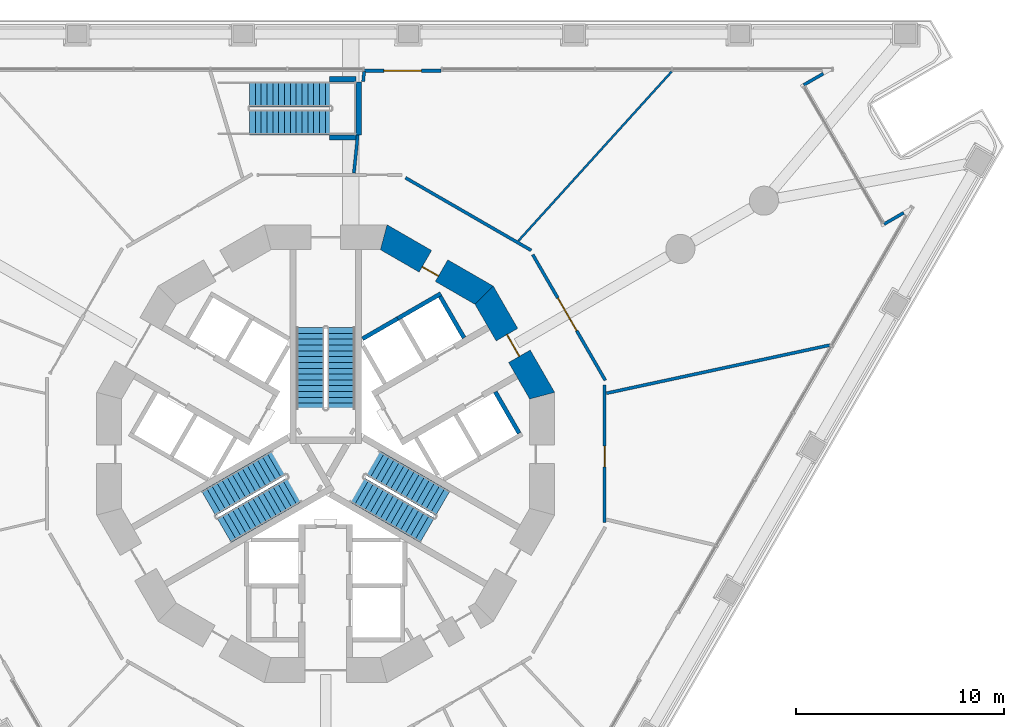
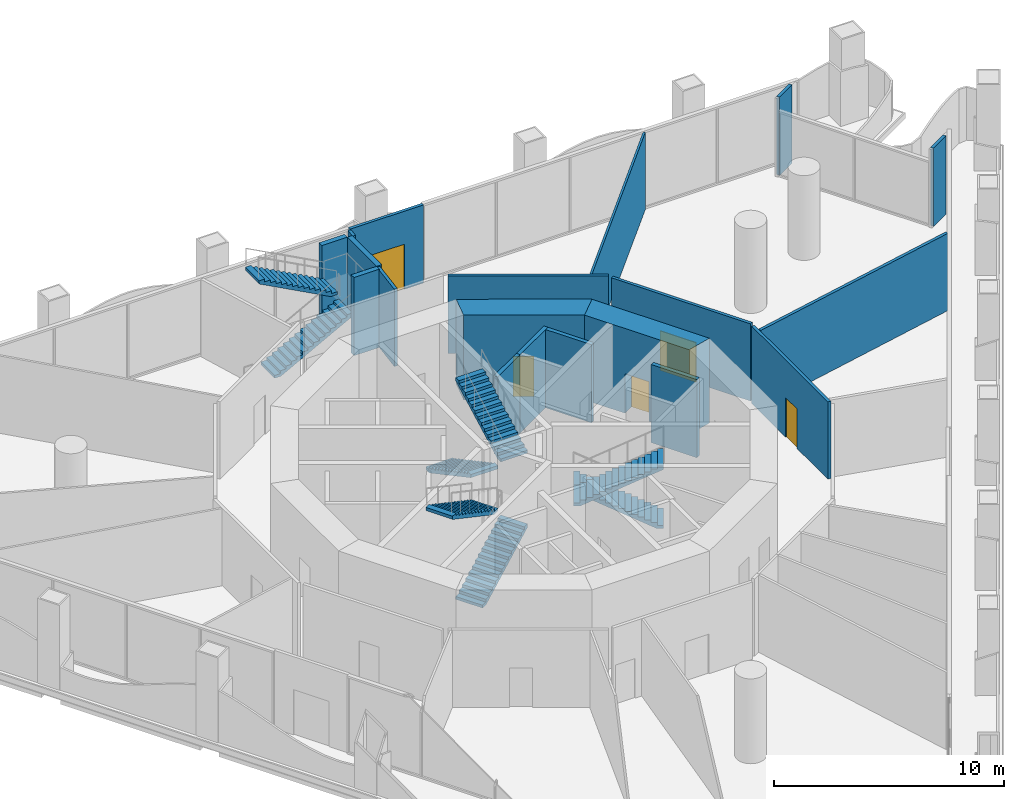
# One storey, part 13 of 21: 19 walls, 8 stair flights, 5 doors, 5 openings, 4 elements without a shape of their own.
"""IFC4 building model written with IfcOpenShell, lengths in metres."""

import ifcopenshell
import ifcopenshell.guid

model = None  # the IFC model being written
_history = None  # IfcOwnerHistory: only IFC2X3 demands one
_inside = {}  # id of a spatial element -> (the spatial element, [elements in it])
_under = {}  # id of a project, library or spatial element -> (it, [spatial elements below it])
_declared = {}  # id of a project -> (the project, [libraries it declares])
_typed = {}  # id of a type object -> (the type object, [elements of that type])
_made_of = {}  # id of a material, layer set ... -> (it, [elements and type objects made of it])


def new_model(schema):
    """Start an empty IFC model of exactly this schema.

    Asked for "IFC4X3", IfcOpenShell would pick the latest addendum, in which some entities
    have other attributes; the version numbers below select the first issue.
    IFC2X3 requires an IfcOwnerHistory on every rooted entity: one is made here for all.
    """
    global model, _history
    if schema == "IFC4X3":
        model = ifcopenshell.file(schema_version=(4, 3, 0, 0))
    else:
        model = ifcopenshell.file(schema=schema)
    _inside.clear()
    _under.clear()
    _declared.clear()
    _typed.clear()
    _made_of.clear()
    _history = None
    if model.schema == "IFC2X3":
        org = make("IfcOrganization", Name="unknown")
        user = make(
            "IfcPersonAndOrganization",
            ThePerson=make("IfcPerson", FamilyName="unknown"),
            TheOrganization=org,
        )
        app = make(
            "IfcApplication",
            ApplicationDeveloper=org,
            Version="unknown",
            ApplicationFullName="unknown",
            ApplicationIdentifier="unknown",
        )
        _history = make(
            "IfcOwnerHistory",
            OwningUser=user,
            OwningApplication=app,
            ChangeAction="ADDED",
            CreationDate=0,
        )
    return model


def make(cls, **values):
    """One entity of the class cls with the attributes given. An attribute that is None is left unset."""
    return model.create_entity(
        cls, **{name: value for name, value in values.items() if value is not None}
    )


def rooted(cls, **values):
    """An entity with a GlobalId (a new one), such as an element, a storey or a relation."""
    return make(cls, GlobalId=ifcopenshell.guid.new(), OwnerHistory=_history, **values)


def si_unit(unit_type, name, prefix=None):
    """IfcSIUnit, for example si_unit("LENGTHUNIT", "METRE", prefix="MILLI")."""
    return make("IfcSIUnit", UnitType=unit_type, Prefix=prefix, Name=name)


def assignment(units):
    """IfcUnitAssignment: the units of a project."""
    return None if units is None else make("IfcUnitAssignment", Units=units)


def point(xyz):
    """IfcCartesianPoint."""
    return None if xyz is None else make("IfcCartesianPoint", Coordinates=xyz)


def direction(xyz):
    """IfcDirection."""
    return None if xyz is None else make("IfcDirection", DirectionRatios=xyz)


def frame(location, z_axis=None, x_axis=None):
    """IfcAxis2Placement3D, a coordinate frame: its origin and axes. An axis left out is left unset."""
    return make(
        "IfcAxis2Placement3D",
        Location=point(location),
        Axis=direction(z_axis),
        RefDirection=direction(x_axis),
    )


def frame_2d(location, x_axis=None):
    """IfcAxis2Placement2D, a coordinate frame in the plane: its origin and x axis."""
    return make(
        "IfcAxis2Placement2D", Location=point(location), RefDirection=direction(x_axis)
    )


def origin():
    """The frame at (0, 0, 0) with its axes left unset."""
    return frame((0.0, 0.0, 0.0))


def place(relative_to, where):
    """IfcLocalPlacement: puts the frame where relative to a parent placement (None: the world)."""
    return make(
        "IfcLocalPlacement", PlacementRelTo=relative_to, RelativePlacement=where
    )


def context(
    kind, dimensions, precision=None, world=None, true_north=None, identifier=None
):
    """IfcGeometricRepresentationContext, for example the 3D "Model" context."""
    return make(
        "IfcGeometricRepresentationContext",
        ContextIdentifier=identifier,
        ContextType=kind,
        CoordinateSpaceDimension=dimensions,
        Precision=precision,
        WorldCoordinateSystem=world,
        TrueNorth=true_north,
    )


def subcontext(parent, identifier, kind, view, scale=None):
    """IfcGeometricRepresentationSubContext, for example "Body" below "Model"."""
    return make(
        "IfcGeometricRepresentationSubContext",
        ContextIdentifier=identifier,
        ContextType=kind,
        ParentContext=parent,
        TargetScale=scale,
        TargetView=view,
    )


def project(units=None, contexts=None):
    """IfcProject with its units and contexts."""
    return rooted(
        "IfcProject",
        Name="project",
        RepresentationContexts=contexts,
        UnitsInContext=assignment(units),
    )


def spatial(cls, under=None, at=None, **own):
    """A site, building, storey or space (cls), placed at a placement, below another one or the project."""
    s = rooted(cls, ObjectPlacement=at, **own)
    if under is not None:
        _under.setdefault(under.id(), (under, []))[1].append(s)
    return s


def polyline(points):
    """IfcPolyline through the points."""
    return make("IfcPolyline", Points=[point(p) for p in points])


def profile(cls, at=None, kind="AREA", **sizes):
    """A parametric profile (cls). Its sizes go by their IFC names, for example OverallWidth=200.0."""
    return make(cls, ProfileType=kind, Position=at, **sizes)


def rectangle(**sizes):
    """IfcRectangleProfileDef."""
    return profile("IfcRectangleProfileDef", **sizes)


def outline(outer, holes=None, kind="AREA"):
    """IfcArbitraryClosedProfileDef: a profile drawn as a closed curve; with holes, ...WithVoids."""
    if holes is None:
        return make("IfcArbitraryClosedProfileDef", ProfileType=kind, OuterCurve=outer)
    return make(
        "IfcArbitraryProfileDefWithVoids",
        ProfileType=kind,
        OuterCurve=outer,
        InnerCurves=holes,
    )


def extrude(swept, where, along, depth):
    """IfcExtrudedAreaSolid: the profile swept, set in the frame where, extruded along a direction by depth."""
    return make(
        "IfcExtrudedAreaSolid",
        SweptArea=swept,
        Position=where,
        ExtrudedDirection=direction(along),
        Depth=depth,
    )


def shape(context_of_items, identifier, shape_type, items):
    """IfcShapeRepresentation: the items that make up one representation, for example the "Body"."""
    return make(
        "IfcShapeRepresentation",
        ContextOfItems=context_of_items,
        RepresentationIdentifier=identifier,
        RepresentationType=shape_type,
        Items=items,
    )


def material(Name=None, Category=None):
    """IfcMaterial."""
    return make("IfcMaterial", Name=Name, Category=Category)


def layer(
    of_material, thickness, ventilated=None, Name=None, Category=None, Priority=None
):
    """IfcMaterialLayer: one layer of a wall or slab, of a material (None: an air gap)."""
    return make(
        "IfcMaterialLayer",
        Material=of_material,
        LayerThickness=thickness,
        IsVentilated=ventilated,
        Name=Name,
        Category=Category,
        Priority=Priority,
    )


def layer_set(layers, Name=None):
    """IfcMaterialLayerSet."""
    return make("IfcMaterialLayerSet", MaterialLayers=layers, LayerSetName=Name)


def made_of(thing, what):
    """Note that an element or type object is made of a material, layer set ...; save() writes the relation."""
    if what is not None:
        _made_of.setdefault(what.id(), (what, []))[1].append(thing)
    return thing


def type_object(cls, material=None, **own):
    """A type object (cls), such as IfcWallType, which elements share."""
    return made_of(rooted(cls, **own), material)


def element(
    cls,
    number,
    at=None,
    inside=None,
    cuts=None,
    type_object=None,
    material=None,
    context=None,
    identifier="Body",
    shape_type=None,
    held_by="IfcProductDefinitionShape",
    body=None,
    shapes=None,
    **own,
):
    """One element of the class cls, such as IfcWall. Its Tag is "e" and its number.

    at: its placement. inside: the storey or other place that contains it. cuts: it is an
    opening in that element (IfcRelVoidsElement). A single representation is given by context,
    identifier, shape_type and body (its items); several are given by shapes. held_by: the class
    of the entity that holds the representations. save() writes the other relations.
    """
    e = rooted(cls, Tag="e%d" % number, ObjectPlacement=at, **own)
    if body is not None:
        shapes = [shape(context, identifier, shape_type, body)]
    if shapes is not None:
        e.Representation = make(held_by, Representations=shapes)
    if inside is not None:
        _inside.setdefault(inside.id(), (inside, []))[1].append(e)
    if cuts is not None:
        rooted(
            "IfcRelVoidsElement", RelatingBuildingElement=cuts, RelatedOpeningElement=e
        )
    if type_object is not None:
        _typed.setdefault(type_object.id(), (type_object, []))[1].append(e)
    return made_of(e, material)


def fill(opening, filler):
    """IfcRelFillsElement: the door or window that sits in an opening."""
    return rooted(
        "IfcRelFillsElement",
        RelatingOpeningElement=opening,
        RelatedBuildingElement=filler,
    )


def aggregate(whole, parts):
    """IfcRelAggregates: a whole, such as a stair, and the parts it consists of."""
    return rooted("IfcRelAggregates", RelatingObject=whole, RelatedObjects=parts)


def save(model, path):
    """Write the relations noted so far, then the file.

    IfcRelAggregates (storeys below a building ...), IfcRelContainedInSpatialStructure (elements
    in a storey), IfcRelDefinesByType, IfcRelAssociatesMaterial and IfcRelDeclares: one each for
    every whole, place, type object, material and project.
    """
    for whole, parts in _under.values():
        aggregate(whole, parts)
    for where, things in _inside.values():
        rooted(
            "IfcRelContainedInSpatialStructure",
            RelatedElements=things,
            RelatingStructure=where,
        )
    for kind, things in _typed.values():
        rooted("IfcRelDefinesByType", RelatedObjects=things, RelatingType=kind)
    for what, things in _made_of.values():
        rooted("IfcRelAssociatesMaterial", RelatedObjects=things, RelatingMaterial=what)
    for by, libraries in _declared.values():
        rooted("IfcRelDeclares", RelatingContext=by, RelatedDefinitions=libraries)
    model.write(path)


model = new_model("IFC4")

# Units and contexts
model_context = context("Model", 3, precision=1e-05, world=origin(), true_north=direction((0.0, 1.0)))
body_context = subcontext(model_context, "Body", "Model", "MODEL_VIEW")
ifc_project = project(units=[si_unit("LENGTHUNIT", "METRE"), si_unit("AREAUNIT", "SQUARE_METRE"), si_unit("VOLUMEUNIT", "CUBIC_METRE"), si_unit("PLANEANGLEUNIT", "RADIAN"), si_unit("MASSUNIT", "GRAM", prefix="KILO")], contexts=[model_context])

# Site, building, storey
site_placement = place(None, origin())
site = spatial("IfcSite", under=ifc_project, at=site_placement, CompositionType="ELEMENT")
building_placement = place(site_placement, origin())
building = spatial("IfcBuilding", under=site, at=building_placement, Name="Trine Commons Tower", CompositionType="ELEMENT")
storey_placement = place(building_placement, frame((0.0, 0.0, 9.0)))
storey = spatial("IfcBuildingStorey", under=building, at=storey_placement, Name="L01", CompositionType="ELEMENT", Elevation=9.0)

# Walls
ifc_material_1 = material(Name="Plasterboard on steel stud", Category="steel")
ifc_layer_1 = layer(ifc_material_1, 0.14990234375)
ifc_layer_set_1 = layer_set([ifc_layer_1], Name="Plasterboard on steel stud")
wall_type_1 = type_object("IfcWallType", Name="Compartment wall 150 mm, EI 60", PredefinedType="PARTITIONING", material=ifc_layer_set_1)
wall_1_placement = place(storey_placement, frame((81.357177734375, 75.994140625, 0.0), z_axis=(0.0, 0.0, 1.0), x_axis=(0.100173666566, 0.994969967651, 0.0)))
element("IfcWall", 1, at=wall_1_placement, inside=storey, type_object=wall_type_1, Name="Partition P1017", PredefinedType="PARTITIONING", context=body_context, shape_type="SweptSolid", body=[
    extrude(rectangle(XDim=1.840087890625, YDim=0.14990234375, at=frame_2d((0.919921875, 0.0))), origin(), (0.0, 0.0, 1.0), 4.10009765625),
])
wall_2_placement = place(storey_placement, frame((81.800048828125, 80.39501953125, 0.0), z_axis=(0.0, 0.0, 1.0), x_axis=(0.099749392044, 0.995012592276, 0.0)))
element("IfcWall", 2, at=wall_2_placement, inside=storey, type_object=wall_type_1, Name="Partition P1018", PredefinedType="PARTITIONING", context=body_context, shape_type="SweptSolid", body=[
    extrude(rectangle(XDim=0.491943359375, YDim=0.14990234375, at=frame_2d((0.24609375, 0.0))), origin(), (0.0, 0.0, 1.0), 4.10009765625),
])
wall_3_placement = place(storey_placement, frame((83.8359375, 75.771484375, 0.0), z_axis=(0.0, 0.0, 1.0), x_axis=(0.866037689721, -0.49997871953, 0.0)))
element("IfcWall", 3, at=wall_3_placement, inside=storey, type_object=wall_type_1, Name="Partition P1020", PredefinedType="PARTITIONING", context=body_context, shape_type="SweptSolid", body=[
    extrude(rectangle(XDim=6.982177734375, YDim=0.14990234375, at=frame_2d((3.4912109375, 0.0))), origin(), (0.0, 0.0, 1.0), 4.10009765625),
])

# Wall, opening, door
wall_4_placement = place(storey_placement, frame((93.448974609375, 66.028564453125, 0.0), z_axis=(0.0, 0.0, 1.0), x_axis=(-0.49997871953, 0.866037689721, 0.0)))
wall_4 = element("IfcWall", 4, at=wall_4_placement, inside=storey, type_object=wall_type_1, Name="Partition P1031", PredefinedType="PARTITIONING", context=body_context, shape_type="SweptSolid", body=[
    extrude(rectangle(XDim=6.982177734375, YDim=0.14990234375, at=frame_2d((3.4912109375, 0.0))), origin(), (0.0, 0.0, 1.0), 4.10009765625),
])
opening_1_placement = place(wall_4_placement, frame((2.7685546875, 0.0, 0.0)))
opening_1 = element("IfcOpeningElement", 5, at=opening_1_placement, cuts=wall_4, Name="Opening D-P115", PredefinedType="OPENING", context=body_context, shape_type="SweptSolid", body=[
    extrude(rectangle(XDim=1.800048828125, YDim=2.10009765625, at=frame_2d((0.89990234375, 1.050048828125))), frame((0.0, 0.0849609375, 0.0), z_axis=(0.0, -1.0, 0.0), x_axis=(1.0, 0.0, 0.0)), (0.0, 0.0, 1.0), 0.169921875),
])
ifc_material_2 = material(Name="Timber fire door set", Category="wood")
door_type_1 = type_object("IfcDoorType", Name="Double swing door 1800x2100, FD30S", OperationType="DOUBLE_DOOR_DOUBLE_SWING", PredefinedType="DOOR", material=ifc_material_2)
door_1_placement = place(opening_1_placement, origin())
door_1 = element("IfcDoor", 6, at=door_1_placement, inside=storey, type_object=door_type_1, Name="Door D-P115", OperationType="DOUBLE_DOOR_DOUBLE_SWING", OverallHeight=2.10009765625, OverallWidth=1.800048828125, PredefinedType="DOOR", context=body_context, shape_type="SweptSolid", body=[
    extrude(rectangle(XDim=1.800048828125, YDim=2.10009765625, at=frame_2d((0.89990234375, 1.050048828125))), frame((0.0, 0.02490234375, 0.0), z_axis=(0.0, -1.0, 0.0), x_axis=(1.0, 0.0, 0.0)), (0.0, 0.0, 1.0), 0.050048828125),
])
fill(opening_1, door_1)

wall_5_placement = place(storey_placement, frame((93.41162109375, 65.813720703125, 0.0), z_axis=(0.0, 0.0, 1.0), x_axis=(0.0, -1.0, 0.0)))
wall_5 = element("IfcWall", 7, at=wall_5_placement, inside=storey, type_object=wall_type_1, Name="Partition P1032", PredefinedType="PARTITIONING", context=body_context, shape_type="SweptSolid", body=[
    extrude(rectangle(XDim=6.62744140625, YDim=0.14990234375, at=frame_2d((3.313720703125, 0.0))), origin(), (0.0, 0.0, 1.0), 4.10009765625),
])
opening_2_placement = place(wall_5_placement, frame((2.942626953125, 0.0, 0.0)))
opening_2 = element("IfcOpeningElement", 8, at=opening_2_placement, cuts=wall_5, Name="Opening D-P116", PredefinedType="OPENING", context=body_context, shape_type="SweptSolid", body=[
    extrude(rectangle(XDim=1.0, YDim=2.10009765625, at=frame_2d((0.5, 1.050048828125))), frame((0.0, 0.0849609375, 0.0), z_axis=(0.0, -1.0, 0.0), x_axis=(1.0, 0.0, 0.0)), (0.0, 0.0, 1.0), 0.169921875),
])
door_type_2 = type_object("IfcDoorType", Name="Single swing door 1000x2100, FD30S", OperationType="SINGLE_SWING_LEFT", PredefinedType="DOOR", material=ifc_material_2)
door_2_placement = place(opening_2_placement, origin())
door_2 = element("IfcDoor", 9, at=door_2_placement, inside=storey, type_object=door_type_2, Name="Door D-P116", OperationType="SINGLE_SWING_LEFT", OverallHeight=2.10009765625, OverallWidth=1.0, PredefinedType="DOOR", context=body_context, shape_type="SweptSolid", body=[
    extrude(rectangle(XDim=1.0, YDim=2.10009765625, at=frame_2d((0.5, 1.050048828125))), frame((0.0, 0.02490234375, 0.0), z_axis=(0.0, -1.0, 0.0), x_axis=(1.0, 0.0, 0.0)), (0.0, 0.0, 1.0), 0.050048828125),
])
fill(opening_2, door_2)

# Wall
wall_6_placement = place(storey_placement, frame((93.50244140625, 65.40869140625, 0.0), z_axis=(0.0, 0.0, 1.0), x_axis=(0.977570311129, 0.210609322678, 0.0)))
element("IfcWall", 10, at=wall_6_placement, inside=storey, type_object=wall_type_1, Name="Partition P1034", PredefinedType="PARTITIONING", context=body_context, shape_type="SweptSolid", body=[
    extrude(rectangle(XDim=10.98828125, YDim=0.14990234375, at=frame_2d((5.494140625, 0.0))), origin(), (0.0, 0.0, 1.0), 4.10009765625),
])

# Wall, opening, door
ifc_material_3 = material(Name="Aluminium-framed insulated wall panel", Category="aluminium")
ifc_layer_2 = layer(ifc_material_3, 0.14990234375)
ifc_layer_set_2 = layer_set([ifc_layer_2], Name="Aluminium-framed insulated wall panel")
wall_type_2 = type_object("IfcWallType", Name="Glazed entrance wall 150, EI 60", PredefinedType="SOLIDWALL", material=ifc_layer_set_2)
wall_7_placement = place(storey_placement, frame((81.84912109375, 80.919677734375, 0.0), z_axis=(0.0, 0.0, 1.0), x_axis=(1.0, 0.0, 0.0)))
wall_7 = element("IfcWall", 11, at=wall_7_placement, inside=storey, type_object=wall_type_2, Name="Glazed entrance wall L01 F1 8", PredefinedType="SOLIDWALL", context=body_context, shape_type="SweptSolid", body=[
    extrude(rectangle(XDim=3.698974609375, YDim=0.14990234375, at=frame_2d((1.849609375, 0.0))), origin(), (0.0, 0.0, 1.0), 4.14990234375),
])
opening_3_placement = place(wall_7_placement, frame((0.949462890625, 0.0, 0.0)))
opening_3 = element("IfcOpeningElement", 12, at=opening_3_placement, cuts=wall_7, Name="Opening SD-L01-F1-08", PredefinedType="OPENING", context=body_context, shape_type="SweptSolid", body=[
    extrude(rectangle(XDim=1.800048828125, YDim=2.39990234375, at=frame_2d((0.89990234375, 1.199951171875))), frame((0.0, 0.0849609375, 0.0), z_axis=(0.0, -1.0, 0.0), x_axis=(1.0, 0.0, 0.0)), (0.0, 0.0, 1.0), 0.169921875),
])
ifc_material_4 = material(Name="Anodised aluminium frame with double glazing", Category="aluminium")
door_type_3 = type_object("IfcDoorType", Name="Sliding double door 1800x2400", OperationType="DOUBLE_DOOR_SLIDING", PredefinedType="DOOR", material=ifc_material_4)
door_3_placement = place(opening_3_placement, origin())
door_3 = element("IfcDoor", 13, at=door_3_placement, inside=storey, type_object=door_type_3, Name="Loggia door L01 F1 8", OperationType="DOUBLE_DOOR_SLIDING", OverallHeight=2.39990234375, OverallWidth=1.800048828125, PredefinedType="DOOR", context=body_context, shape_type="SweptSolid", body=[
    extrude(rectangle(XDim=1.800048828125, YDim=2.39990234375, at=frame_2d((0.89990234375, 1.199951171875))), frame((0.0, 0.02490234375, 0.0), z_axis=(0.0, -1.0, 0.0), x_axis=(1.0, 0.0, 0.0)), (0.0, 0.0, 1.0), 0.050048828125),
])
fill(opening_3, door_3)

# Walls
ifc_layer_3 = layer(ifc_material_3, 0.14990234375)
ifc_layer_set_3 = layer_set([ifc_layer_3], Name="Aluminium-framed insulated wall panel")
wall_type_3 = type_object("IfcWallType", Name="Glazed frame wall 150, EI 60", PredefinedType="SOLIDWALL", material=ifc_layer_set_3)
wall_8_placement = place(storey_placement, frame((104.060546875, 80.854248046875, 0.0), z_axis=(0.0, 0.0, 1.0), x_axis=(-0.86606770004, -0.49992673358, 0.0)))
element("IfcWall", 14, at=wall_8_placement, inside=storey, type_object=wall_type_3, Name="Glazed frame wall L01 R5", PredefinedType="SOLIDWALL", context=body_context, shape_type="SweptSolid", body=[
    extrude(outline(polyline([(0.1494140625, 0.074951171875), (0.1494140625, -0.074951171875), (1.235107421875, -0.074951171875), (1.235107421875, 0.074951171875), (0.1494140625, 0.074951171875)])), origin(), (0.0, 0.0, 1.0), 4.14990234375),
])
wall_9_placement = place(storey_placement, frame((106.7607421875, 73.4873046875, 0.0), z_axis=(0.0, 0.0, 1.0), x_axis=(0.865989100438, 0.500062873969, 0.0)))
element("IfcWall", 15, at=wall_9_placement, inside=storey, type_object=wall_type_3, Name="Glazed frame wall L01 R7", PredefinedType="SOLIDWALL", context=body_context, shape_type="SweptSolid", body=[
    extrude(outline(polyline([(0.110107421875, 0.074951171875), (0.110107421875, -0.074951171875), (1.19580078125, -0.074951171875), (1.19580078125, 0.074951171875), (0.110107421875, 0.074951171875)])), origin(), (0.0, 0.0, 1.0), 4.14990234375),
])
ifc_layer_4 = layer(ifc_material_1, 0.10009765625)
ifc_layer_set_4 = layer_set([ifc_layer_4], Name="Plasterboard on steel stud")
wall_type_4 = type_object("IfcWallType", Name="Partition wall 100 mm stud, not rated", PredefinedType="PARTITIONING", material=ifc_layer_set_4)
wall_10_placement = place(storey_placement, frame((89.2666015625, 72.735107421875, 0.0), z_axis=(0.0, 0.0, 1.0), x_axis=(0.671158105227, 0.741314236871, 0.0)))
element("IfcWall", 16, at=wall_10_placement, inside=storey, type_object=wall_type_4, Name="Partition P1027", PredefinedType="PARTITIONING", context=body_context, shape_type="SweptSolid", body=[
    extrude(rectangle(XDim=10.9931640625, YDim=0.10009765625, at=frame_2d((5.49658203125, 0.0))), origin(), (0.0, 0.0, 1.0), 4.10009765625),
])

# Wall, opening, door
ifc_material_5 = material(Name="Concrete C80/95", Category="concrete")
ifc_layer_5 = layer(ifc_material_5, 1.199951171875)
ifc_layer_set_5 = layer_set([ifc_layer_5], Name="Concrete C80/95")
wall_type_5 = type_object("IfcWallType", Name="RC shear wall 1200 mm, C80/95", PredefinedType="SHEAR", material=ifc_layer_set_5)
wall_11_placement = place(storey_placement, frame((90.491943359375, 65.150390625, 0.0), z_axis=(0.0, 0.0, 1.0), x_axis=(-0.499979111662, 0.866037463336, 0.0)))
wall_11 = element("IfcWall", 17, at=wall_11_placement, inside=storey, type_object=wall_type_5, Name="Core wall CWA-02 L01", PredefinedType="SHEAR", context=body_context, shape_type="SweptSolid", body=[
    extrude(outline(polyline([(0.0, -0.60009765625), (5.901123046875, -0.60009765625), (5.57958984375, 0.60009765625), (0.321533203125, 0.60009765625), (0.0, -0.60009765625)])), origin(), (0.0, 0.0, 1.0), 4.5),
])
opening_4_placement = place(wall_11_placement, frame((2.3505859375, 0.0, 0.0)))
opening_4 = element("IfcOpeningElement", 18, at=opening_4_placement, cuts=wall_11, Name="Opening K04.04", PredefinedType="OPENING", context=body_context, shape_type="SweptSolid", body=[
    extrude(rectangle(XDim=1.199951171875, YDim=2.10009765625, at=frame_2d((0.60009765625, 1.050048828125))), frame((0.0, 0.60986328125, 0.0), z_axis=(0.0, -1.0, 0.0), x_axis=(1.0, 0.0, 0.0)), (0.0, 0.0, 1.0), 1.219970703125),
])
ifc_material_6 = material(Name="Steel door leaves, fire-rated", Category="steel")
door_type_4 = type_object("IfcDoorType", Name="Lobby door, double leaf 1200 x 2100, FD60", OperationType="DOUBLE_DOOR_SINGLE_SWING", PredefinedType="DOOR", material=ifc_material_6)
door_4_placement = place(opening_4_placement, origin())
door_4 = element("IfcDoor", 19, at=door_4_placement, inside=storey, type_object=door_type_4, Name="Lobby door, Passenger lift lobby A L01", OperationType="DOUBLE_DOOR_SINGLE_SWING", OverallHeight=2.10009765625, OverallWidth=1.199951171875, PredefinedType="DOOR", context=body_context, shape_type="SweptSolid", body=[
    extrude(rectangle(XDim=1.199951171875, YDim=2.10009765625, at=frame_2d((0.60009765625, 1.050048828125))), frame((0.0, 0.02490234375, 0.0), z_axis=(0.0, -1.0, 0.0), x_axis=(1.0, 0.0, 0.0)), (0.0, 0.0, 1.0), 0.050048828125),
])
fill(opening_4, door_4)

wall_12_placement = place(storey_placement, frame((87.760986328125, 70.04150390625, 0.0), z_axis=(0.0, 0.0, 1.0), x_axis=(-0.866037463336, 0.499979111662, 0.0)))
wall_12 = element("IfcWall", 20, at=wall_12_placement, inside=storey, type_object=wall_type_5, Name="Core wall CWA-03 L01", PredefinedType="SHEAR", context=body_context, shape_type="SweptSolid", body=[
    extrude(outline(polyline([(0.0, -0.60009765625), (5.901123046875, -0.60009765625), (5.57958984375, 0.60009765625), (0.321533203125, 0.60009765625), (0.0, -0.60009765625)])), origin(), (0.0, 0.0, 1.0), 4.5),
])
opening_5_placement = place(wall_12_placement, frame((2.526611328125, 0.0, 0.0)))
opening_5 = element("IfcOpeningElement", 21, at=opening_5_placement, cuts=wall_12, Name="Opening K04.12", PredefinedType="OPENING", context=body_context, shape_type="SweptSolid", body=[
    extrude(rectangle(XDim=0.89990234375, YDim=2.10009765625, at=frame_2d((0.449951171875, 1.050048828125))), frame((0.0, 0.60986328125, 0.0), z_axis=(0.0, -1.0, 0.0), x_axis=(1.0, 0.0, 0.0)), (0.0, 0.0, 1.0), 1.219970703125),
])
ifc_material_7 = material(Name="Steel door leaf, fire-rated", Category="steel")
door_type_5 = type_object("IfcDoorType", Name="Core room door, single leaf 900 x 2100, FD30S", OperationType="SINGLE_SWING_LEFT", PredefinedType="DOOR", material=ifc_material_7)
door_5_placement = place(opening_5_placement, origin())
door_5 = element("IfcDoor", 22, at=door_5_placement, inside=storey, type_object=door_type_5, Name="Door to Linen store L01", OperationType="SINGLE_SWING_RIGHT", OverallHeight=2.10009765625, OverallWidth=0.89990234375, PredefinedType="DOOR", context=body_context, shape_type="SweptSolid", body=[
    extrude(rectangle(XDim=0.89990234375, YDim=2.10009765625, at=frame_2d((0.449951171875, 1.050048828125))), frame((0.0, 0.3251953125, 0.0), z_axis=(0.0, -1.0, 0.0), x_axis=(1.0, 0.0, 0.0)), (0.0, 0.0, 1.0), 0.050048828125),
])
fill(opening_5, door_5)

# Walls
ifc_material_8 = material(Name="Fire-rated gypsum shaft wall system")
ifc_layer_6 = layer(ifc_material_8, 0.199951171875)
ifc_layer_set_6 = layer_set([ifc_layer_6], Name="Fire-rated gypsum shaft wall system")
wall_type_6 = type_object("IfcWallType", Name="Shaft wall 200 mm, EI 120", PredefinedType="PARTITIONING", material=ifc_layer_set_6)
wall_13_placement = place(storey_placement, frame((81.77490234375, 68.028076171875, 0.0), z_axis=(0.0, 0.0, 1.0), x_axis=(0.866052014814, 0.499953905513, 0.0)))
element("IfcWall", 23, at=wall_13_placement, inside=storey, type_object=wall_type_6, Name="Shaft wall L01", PredefinedType="PARTITIONING", context=body_context, shape_type="SweptSolid", body=[
    extrude(rectangle(XDim=1.947998046875, YDim=0.199951171875, at=frame_2d((0.97412109375, 0.0))), origin(), (0.0, 0.0, 1.0), 4.14990234375),
])
wall_14_placement = place(storey_placement, frame((83.4619140625, 69.001953125, 0.0), z_axis=(0.0, 0.0, 1.0), x_axis=(0.866202511239, 0.499693115345, 0.0)))
element("IfcWall", 24, at=wall_14_placement, inside=storey, type_object=wall_type_6, Name="Shaft wall L01", PredefinedType="PARTITIONING", context=body_context, shape_type="SweptSolid", body=[
    extrude(rectangle(XDim=2.4013671875, YDim=0.199951171875, at=frame_2d((1.20068359375, 0.0))), origin(), (0.0, 0.0, 1.0), 4.14990234375),
])
wall_15_placement = place(storey_placement, frame((86.655029296875, 68.073974609375, 0.0), z_axis=(0.0, 0.0, 1.0), x_axis=(-0.500215680983, 0.865900844496, 0.0)))
element("IfcWall", 25, at=wall_15_placement, inside=storey, type_object=wall_type_6, Name="Shaft wall L01", PredefinedType="PARTITIONING", context=body_context, shape_type="SweptSolid", body=[
    extrude(rectangle(XDim=2.29931640625, YDim=0.199951171875, at=frame_2d((1.149658203125, 0.0))), origin(), (0.0, 0.0, 1.0), 4.14990234375),
])
wall_16_placement = place(storey_placement, frame((88.155029296875, 65.47607421875, 0.0), z_axis=(0.0, 0.0, 1.0), x_axis=(0.500136062276, -0.86594683394, 0.0)))
element("IfcWall", 26, at=wall_16_placement, inside=storey, type_object=wall_type_6, Name="Shaft wall L01", PredefinedType="PARTITIONING", context=body_context, shape_type="SweptSolid", body=[
    extrude(rectangle(XDim=2.299072265625, YDim=0.199951171875, at=frame_2d((1.1494140625, 0.0))), origin(), (0.0, 0.0, 1.0), 4.14990234375),
])
ifc_material_9 = material(Name="Concrete C40/50", Category="concrete")
ifc_layer_7 = layer(ifc_material_9, 0.25)
ifc_layer_set_7 = layer_set([ifc_layer_7], Name="Concrete C40/50")
wall_type_7 = type_object("IfcWallType", Name="Stair landing wall 250 mm, concrete C40/50", PredefinedType="SOLIDWALL", material=ifc_layer_set_7)
wall_17_placement = place(storey_placement, frame((81.5849609375, 77.8349609375, 0.0), z_axis=(0.0, 0.0, 1.0), x_axis=(0.0, 1.0, 0.0)))
element("IfcWall", 27, at=wall_17_placement, inside=storey, type_object=wall_type_7, Name="L01 PS1 landing wall E", PredefinedType="SOLIDWALL", context=body_context, shape_type="SweptSolid", body=[
    extrude(rectangle(XDim=2.550048828125, YDim=0.25, at=frame_2d((1.27490234375, 0.0))), origin(), (0.0, 0.0, 1.0), 4.14990234375),
])
for number, where, z_axis, x_axis, name in (
    (28, (80.179931640625, 80.510009765625, 0.0), (0.0, 0.0, 1.0), (1.0, 0.0, 0.0), "L01 PS1 landing wall N"),
    (29, (80.179931640625, 77.7099609375, 0.0), (0.0, 0.0, 1.0), (1.0, 0.0, 0.0), "L01 PS1 landing wall S"),
):
    element("IfcWall", number, at=place(storey_placement, frame(where, z_axis=z_axis, x_axis=x_axis)), inside=storey, type_object=wall_type_7, Name=name, PredefinedType="SOLIDWALL", context=body_context, shape_type="SweptSolid", body=[
        extrude(rectangle(XDim=1.280029296875, YDim=0.25, at=frame_2d((0.64013671875, 0.0))), origin(), (0.0, 0.0, 1.0), 4.14990234375),
    ])

# Stair, stair flights
stair_type_1 = type_object("IfcStairType", Name="Podium stair, dog-leg 1200 mm, C40/50", PredefinedType="HALF_TURN_STAIR", material=ifc_material_9)
stair_1_placement = place(storey_placement, origin())
stair_1 = element("IfcStair", 30, at=stair_1_placement, inside=storey, type_object=stair_type_1, Name="L01 Podium stair", PredefinedType="HALF_TURN_STAIR")
stair_flight_type_1 = type_object("IfcStairFlightType", Name="Podium stair flight 1200 mm, C40/50", PredefinedType="STRAIGHT", material=ifc_material_9)
stair_flight_1_placement = place(storey_placement, frame((76.340087890625, 78.43505859375, 0.0), z_axis=(0.0, 0.0, 1.0), x_axis=(1.0, 0.0, 0.0)))
stair_flight_1 = element("IfcStairFlight", 31, at=stair_flight_1_placement, type_object=stair_flight_type_1, Name="PS1 flight 1", NumberOfRisers=15, NumberOfTreads=14, PredefinedType="STRAIGHT", RiserHeight=0.15, TreadLength=0.28, context=body_context, shape_type="SweptSolid", body=[
    extrude(outline(polyline([(0.0, 0.0), (0.0, 0.14990234375), (0.280029296875, 0.14990234375), (0.280029296875, 0.300048828125), (0.56005859375, 0.300048828125), (0.56005859375, 0.449951171875), (0.840087890625, 0.449951171875), (0.840087890625, 0.60009765625), (1.1201171875, 0.60009765625), (1.1201171875, 0.75), (1.39990234375, 0.75), (1.39990234375, 0.89990234375), (1.679931640625, 0.89990234375), (1.679931640625, 1.050048828125), (1.9599609375, 1.050048828125), (1.9599609375, 1.199951171875), (2.239990234375, 1.199951171875), (2.239990234375, 1.35009765625), (2.52001953125, 1.35009765625), (2.52001953125, 1.5), (2.800048828125, 1.5), (2.800048828125, 1.64990234375), (3.080078125, 1.64990234375), (3.080078125, 1.800048828125), (3.360107421875, 1.800048828125), (3.360107421875, 1.949951171875), (3.639892578125, 1.949951171875), (3.639892578125, 2.10009765625), (3.919921875, 2.10009765625), (3.919921875, 2.25), (3.919921875, 1.929931640625), (0.3173828125, 0.0), (0.0, 0.0)])), frame((0.0, 0.60009765625, 0.0), z_axis=(0.0, -1.0, 0.0), x_axis=(1.0, 0.0, 0.0)), (0.0, 0.0, 1.0), 1.199951171875),
])
stair_flight_2_placement = place(storey_placement, frame((80.260009765625, 79.784912109375, 2.25), z_axis=(0.0, 0.0, 1.0), x_axis=(-1.0, 0.0, 0.0)))
stair_flight_2 = element("IfcStairFlight", 32, at=stair_flight_2_placement, type_object=stair_flight_type_1, Name="PS1 flight 2", NumberOfRisers=15, NumberOfTreads=14, PredefinedType="STRAIGHT", RiserHeight=0.15, TreadLength=0.28, context=body_context, shape_type="SweptSolid", body=[
    extrude(outline(polyline([(0.0, 0.0), (0.0, 0.14990234375), (0.280029296875, 0.14990234375), (0.280029296875, 0.300048828125), (0.56005859375, 0.300048828125), (0.56005859375, 0.449951171875), (0.840087890625, 0.449951171875), (0.840087890625, 0.60009765625), (1.1201171875, 0.60009765625), (1.1201171875, 0.75), (1.39990234375, 0.75), (1.39990234375, 0.89990234375), (1.679931640625, 0.89990234375), (1.679931640625, 1.050048828125), (1.9599609375, 1.050048828125), (1.9599609375, 1.199951171875), (2.239990234375, 1.199951171875), (2.239990234375, 1.35009765625), (2.52001953125, 1.35009765625), (2.52001953125, 1.5), (2.800048828125, 1.5), (2.800048828125, 1.64990234375), (3.080078125, 1.64990234375), (3.080078125, 1.800048828125), (3.360107421875, 1.800048828125), (3.360107421875, 1.949951171875), (3.639892578125, 1.949951171875), (3.639892578125, 2.10009765625), (3.919921875, 2.10009765625), (3.919921875, 2.25), (3.919921875, 1.929931640625), (0.3173828125, 0.0), (0.0, 0.0)])), frame((0.0, 0.60009765625, 0.0), z_axis=(0.0, -1.0, 0.0), x_axis=(1.0, 0.0, 0.0)), (0.0, 0.0, 1.0), 1.199951171875),
])
aggregate(stair_1, [stair_flight_1, stair_flight_2])

ifc_material_10 = material(Name="Concrete C50/60", Category="concrete")
stair_type_2 = type_object("IfcStairType", Name="Exit stair, dog-leg, 30 risers of 150 mm", PredefinedType="HALF_TURN_STAIR", material=ifc_material_10)
stair_2_placement = place(storey_placement, origin())
stair_2 = element("IfcStair", 33, at=stair_2_placement, inside=storey, type_object=stair_type_2, Name="L01 Exit stair ST1A", PredefinedType="HALF_TURN_STAIR")
stair_flight_type_2 = type_object("IfcStairFlightType", Name="Stair flight, 1350 wide, 15 risers of 150 mm", PredefinedType="STRAIGHT", material=ifc_material_10)
stair_flight_3_placement = place(storey_placement, frame((79.25, 68.570556640625, 0.0), z_axis=(0.0, 0.0, 1.0), x_axis=(0.0, -1.0, 0.0)))
stair_flight_3 = element("IfcStairFlight", 34, at=stair_flight_3_placement, type_object=stair_flight_type_2, Name="ST1A flight 1", NumberOfRisers=15, NumberOfTreads=14, PredefinedType="STRAIGHT", RiserHeight=0.15, TreadLength=0.28, context=body_context, shape_type="SweptSolid", body=[
    extrude(outline(polyline([(0.0, 0.0), (0.0, 0.14990234375), (0.280029296875, 0.14990234375), (0.280029296875, 0.300048828125), (0.56005859375, 0.300048828125), (0.56005859375, 0.449951171875), (0.840087890625, 0.449951171875), (0.840087890625, 0.60009765625), (1.1201171875, 0.60009765625), (1.1201171875, 0.75), (1.39990234375, 0.75), (1.39990234375, 0.89990234375), (1.679931640625, 0.89990234375), (1.679931640625, 1.050048828125), (1.9599609375, 1.050048828125), (1.9599609375, 1.199951171875), (2.239990234375, 1.199951171875), (2.239990234375, 1.35009765625), (2.52001953125, 1.35009765625), (2.52001953125, 1.5), (2.800048828125, 1.5), (2.800048828125, 1.64990234375), (3.080078125, 1.64990234375), (3.080078125, 1.800048828125), (3.360107421875, 1.800048828125), (3.360107421875, 1.949951171875), (3.639892578125, 1.949951171875), (3.639892578125, 2.10009765625), (3.919921875, 2.10009765625), (3.919921875, 2.25), (3.919921875, 1.929931640625), (0.3173828125, 0.0), (0.0, 0.0)])), frame((0.0, 0.675048828125, 0.0), z_axis=(0.0, -1.0, 0.0), x_axis=(1.0, 0.0, 0.0)), (0.0, 0.0, 1.0), 1.35009765625),
])
stair_flight_4_placement = place(storey_placement, frame((80.75, 64.650634765625, 2.25), z_axis=(0.0, 0.0, 1.0), x_axis=(0.0, 1.0, 0.0)))
stair_flight_4 = element("IfcStairFlight", 35, at=stair_flight_4_placement, type_object=stair_flight_type_2, Name="ST1A flight 2", NumberOfRisers=15, NumberOfTreads=14, PredefinedType="STRAIGHT", RiserHeight=0.15, TreadLength=0.28, context=body_context, shape_type="SweptSolid", body=[
    extrude(outline(polyline([(0.0, 0.0), (0.0, 0.14990234375), (0.280029296875, 0.14990234375), (0.280029296875, 0.300048828125), (0.56005859375, 0.300048828125), (0.56005859375, 0.449951171875), (0.840087890625, 0.449951171875), (0.840087890625, 0.60009765625), (1.1201171875, 0.60009765625), (1.1201171875, 0.75), (1.39990234375, 0.75), (1.39990234375, 0.89990234375), (1.679931640625, 0.89990234375), (1.679931640625, 1.050048828125), (1.9599609375, 1.050048828125), (1.9599609375, 1.199951171875), (2.239990234375, 1.199951171875), (2.239990234375, 1.35009765625), (2.52001953125, 1.35009765625), (2.52001953125, 1.5), (2.800048828125, 1.5), (2.800048828125, 1.64990234375), (3.080078125, 1.64990234375), (3.080078125, 1.800048828125), (3.360107421875, 1.800048828125), (3.360107421875, 1.949951171875), (3.639892578125, 1.949951171875), (3.639892578125, 2.10009765625), (3.919921875, 2.10009765625), (3.919921875, 2.25), (3.919921875, 1.929931640625), (0.3173828125, 0.0), (0.0, 0.0)])), frame((0.0, 0.675048828125, 0.0), z_axis=(0.0, -1.0, 0.0), x_axis=(1.0, 0.0, 0.0)), (0.0, 0.0, 1.0), 1.35009765625),
])
aggregate(stair_2, [stair_flight_3, stair_flight_4])

stair_3_placement = place(storey_placement, origin())
stair_3 = element("IfcStair", 36, at=stair_3_placement, inside=storey, type_object=stair_type_2, Name="L01 Exit stair ST2A", PredefinedType="HALF_TURN_STAIR")
stair_flight_5_placement = place(storey_placement, frame((75.11767578125, 58.815185546875, 0.0), z_axis=(0.0, 0.0, 1.0), x_axis=(0.866025403784, 0.5, 0.0)))
stair_flight_5 = element("IfcStairFlight", 37, at=stair_flight_5_placement, type_object=stair_flight_type_2, Name="ST2A flight 1", NumberOfRisers=15, NumberOfTreads=14, PredefinedType="STRAIGHT", RiserHeight=0.15, TreadLength=0.28, context=body_context, shape_type="SweptSolid", body=[
    extrude(outline(polyline([(0.0, 0.0), (0.0, 0.14990234375), (0.280029296875, 0.14990234375), (0.280029296875, 0.300048828125), (0.56005859375, 0.300048828125), (0.56005859375, 0.449951171875), (0.840087890625, 0.449951171875), (0.840087890625, 0.60009765625), (1.1201171875, 0.60009765625), (1.1201171875, 0.75), (1.39990234375, 0.75), (1.39990234375, 0.89990234375), (1.679931640625, 0.89990234375), (1.679931640625, 1.050048828125), (1.9599609375, 1.050048828125), (1.9599609375, 1.199951171875), (2.239990234375, 1.199951171875), (2.239990234375, 1.35009765625), (2.52001953125, 1.35009765625), (2.52001953125, 1.5), (2.800048828125, 1.5), (2.800048828125, 1.64990234375), (3.080078125, 1.64990234375), (3.080078125, 1.800048828125), (3.360107421875, 1.800048828125), (3.360107421875, 1.949951171875), (3.639892578125, 1.949951171875), (3.639892578125, 2.10009765625), (3.919921875, 2.10009765625), (3.919921875, 2.25), (3.919921875, 1.929931640625), (0.3173828125, 0.0), (0.0, 0.0)])), frame((0.0, 0.675048828125, 0.0), z_axis=(0.0, -1.0, 0.0), x_axis=(1.0, 0.0, 0.0)), (0.0, 0.0, 1.0), 1.35009765625),
])
stair_flight_6_placement = place(storey_placement, frame((77.762451171875, 62.07421875, 2.25), z_axis=(0.0, 0.0, 1.0), x_axis=(-0.866025403784, -0.5, 0.0)))
stair_flight_6 = element("IfcStairFlight", 38, at=stair_flight_6_placement, type_object=stair_flight_type_2, Name="ST2A flight 2", NumberOfRisers=15, NumberOfTreads=14, PredefinedType="STRAIGHT", RiserHeight=0.15, TreadLength=0.28, context=body_context, shape_type="SweptSolid", body=[
    extrude(outline(polyline([(0.0, 0.0), (0.0, 0.14990234375), (0.280029296875, 0.14990234375), (0.280029296875, 0.300048828125), (0.56005859375, 0.300048828125), (0.56005859375, 0.449951171875), (0.840087890625, 0.449951171875), (0.840087890625, 0.60009765625), (1.1201171875, 0.60009765625), (1.1201171875, 0.75), (1.39990234375, 0.75), (1.39990234375, 0.89990234375), (1.679931640625, 0.89990234375), (1.679931640625, 1.050048828125), (1.9599609375, 1.050048828125), (1.9599609375, 1.199951171875), (2.239990234375, 1.199951171875), (2.239990234375, 1.35009765625), (2.52001953125, 1.35009765625), (2.52001953125, 1.5), (2.800048828125, 1.5), (2.800048828125, 1.64990234375), (3.080078125, 1.64990234375), (3.080078125, 1.800048828125), (3.360107421875, 1.800048828125), (3.360107421875, 1.949951171875), (3.639892578125, 1.949951171875), (3.639892578125, 2.10009765625), (3.919921875, 2.10009765625), (3.919921875, 2.25), (3.919921875, 1.929931640625), (0.3173828125, 0.0), (0.0, 0.0)])), frame((0.0, 0.675048828125, 0.0), z_axis=(0.0, -1.0, 0.0), x_axis=(1.0, 0.0, 0.0)), (0.0, 0.0, 1.0), 1.35009765625),
])
aggregate(stair_3, [stair_flight_5, stair_flight_6])

stair_4_placement = place(storey_placement, origin())
stair_4 = element("IfcStair", 39, at=stair_4_placement, inside=storey, type_object=stair_type_2, Name="L01 Exit stair ST3A", PredefinedType="HALF_TURN_STAIR")
stair_flight_7_placement = place(storey_placement, frame((85.63232421875, 60.1142578125, 0.0), z_axis=(0.0, 0.0, 1.0), x_axis=(-0.866025403784, 0.5, 0.0)))
stair_flight_7 = element("IfcStairFlight", 40, at=stair_flight_7_placement, type_object=stair_flight_type_2, Name="ST3A flight 1", NumberOfRisers=15, NumberOfTreads=14, PredefinedType="STRAIGHT", RiserHeight=0.15, TreadLength=0.28, context=body_context, shape_type="SweptSolid", body=[
    extrude(outline(polyline([(0.0, 0.0), (0.0, 0.14990234375), (0.280029296875, 0.14990234375), (0.280029296875, 0.300048828125), (0.56005859375, 0.300048828125), (0.56005859375, 0.449951171875), (0.840087890625, 0.449951171875), (0.840087890625, 0.60009765625), (1.1201171875, 0.60009765625), (1.1201171875, 0.75), (1.39990234375, 0.75), (1.39990234375, 0.89990234375), (1.679931640625, 0.89990234375), (1.679931640625, 1.050048828125), (1.9599609375, 1.050048828125), (1.9599609375, 1.199951171875), (2.239990234375, 1.199951171875), (2.239990234375, 1.35009765625), (2.52001953125, 1.35009765625), (2.52001953125, 1.5), (2.800048828125, 1.5), (2.800048828125, 1.64990234375), (3.080078125, 1.64990234375), (3.080078125, 1.800048828125), (3.360107421875, 1.800048828125), (3.360107421875, 1.949951171875), (3.639892578125, 1.949951171875), (3.639892578125, 2.10009765625), (3.919921875, 2.10009765625), (3.919921875, 2.25), (3.919921875, 1.929931640625), (0.3173828125, 0.0), (0.0, 0.0)])), frame((0.0, 0.675048828125, 0.0), z_axis=(0.0, -1.0, 0.0), x_axis=(1.0, 0.0, 0.0)), (0.0, 0.0, 1.0), 1.35009765625),
])
stair_flight_8_placement = place(storey_placement, frame((81.487548828125, 60.775146484375, 2.25), z_axis=(0.0, 0.0, 1.0), x_axis=(0.866025403784, -0.5, 0.0)))
stair_flight_8 = element("IfcStairFlight", 41, at=stair_flight_8_placement, type_object=stair_flight_type_2, Name="ST3A flight 2", NumberOfRisers=15, NumberOfTreads=14, PredefinedType="STRAIGHT", RiserHeight=0.15, TreadLength=0.28, context=body_context, shape_type="SweptSolid", body=[
    extrude(outline(polyline([(0.0, 0.0), (0.0, 0.14990234375), (0.280029296875, 0.14990234375), (0.280029296875, 0.300048828125), (0.56005859375, 0.300048828125), (0.56005859375, 0.449951171875), (0.840087890625, 0.449951171875), (0.840087890625, 0.60009765625), (1.1201171875, 0.60009765625), (1.1201171875, 0.75), (1.39990234375, 0.75), (1.39990234375, 0.89990234375), (1.679931640625, 0.89990234375), (1.679931640625, 1.050048828125), (1.9599609375, 1.050048828125), (1.9599609375, 1.199951171875), (2.239990234375, 1.199951171875), (2.239990234375, 1.35009765625), (2.52001953125, 1.35009765625), (2.52001953125, 1.5), (2.800048828125, 1.5), (2.800048828125, 1.64990234375), (3.080078125, 1.64990234375), (3.080078125, 1.800048828125), (3.360107421875, 1.800048828125), (3.360107421875, 1.949951171875), (3.639892578125, 1.949951171875), (3.639892578125, 2.10009765625), (3.919921875, 2.10009765625), (3.919921875, 2.25), (3.919921875, 1.929931640625), (0.3173828125, 0.0), (0.0, 0.0)])), frame((0.0, 0.675048828125, 0.0), z_axis=(0.0, -1.0, 0.0), x_axis=(1.0, 0.0, 0.0)), (0.0, 0.0, 1.0), 1.35009765625),
])
aggregate(stair_4, [stair_flight_7, stair_flight_8])

save(model, "model.ifc")
